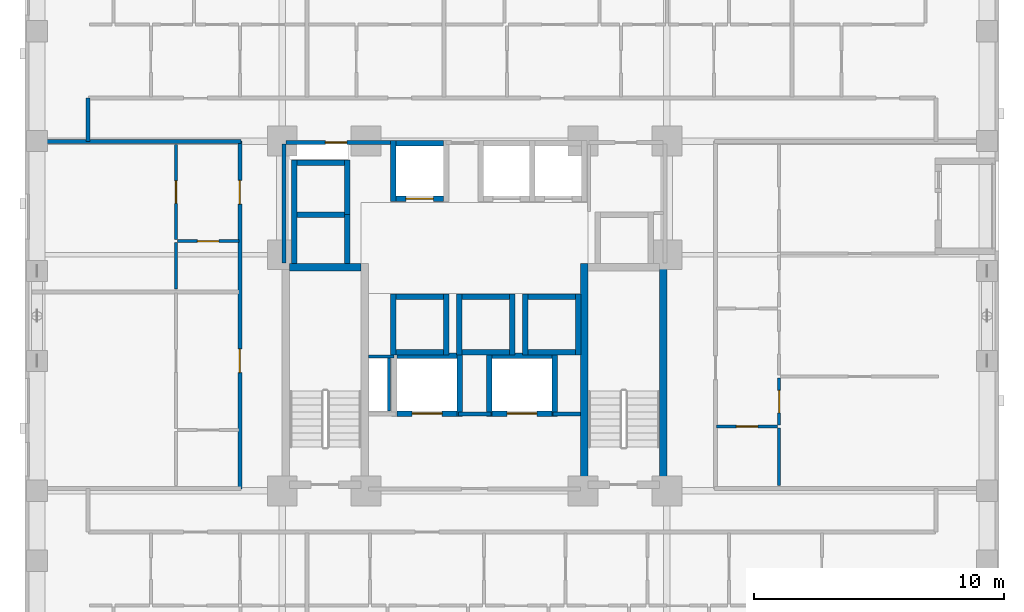
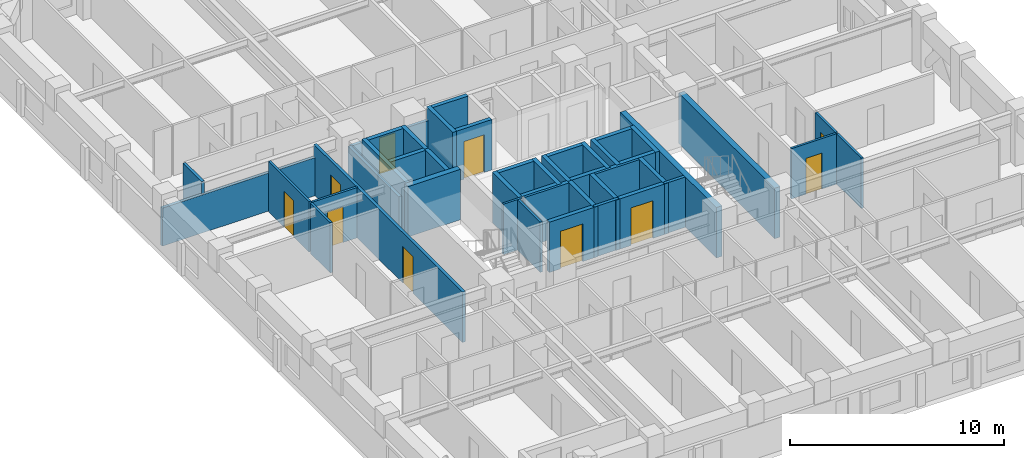
# One storey, part 5 of 14: 45 walls, 10 doors, 10 openings.
"""IFC4 building model written with IfcOpenShell, lengths in metres."""

import ifcopenshell
import ifcopenshell.guid

model = None  # the IFC model being written
_history = None  # IfcOwnerHistory: only IFC2X3 demands one
_inside = {}  # id of a spatial element -> (the spatial element, [elements in it])
_under = {}  # id of a project, library or spatial element -> (it, [spatial elements below it])
_declared = {}  # id of a project -> (the project, [libraries it declares])
_typed = {}  # id of a type object -> (the type object, [elements of that type])
_made_of = {}  # id of a material, layer set ... -> (it, [elements and type objects made of it])


def new_model(schema):
    """Start an empty IFC model of exactly this schema.

    Asked for "IFC4X3", IfcOpenShell would pick the latest addendum, in which some entities
    have other attributes; the version numbers below select the first issue.
    IFC2X3 requires an IfcOwnerHistory on every rooted entity: one is made here for all.
    """
    global model, _history
    if schema == "IFC4X3":
        model = ifcopenshell.file(schema_version=(4, 3, 0, 0))
    else:
        model = ifcopenshell.file(schema=schema)
    _inside.clear()
    _under.clear()
    _declared.clear()
    _typed.clear()
    _made_of.clear()
    _history = None
    if model.schema == "IFC2X3":
        org = make("IfcOrganization", Name="unknown")
        user = make(
            "IfcPersonAndOrganization",
            ThePerson=make("IfcPerson", FamilyName="unknown"),
            TheOrganization=org,
        )
        app = make(
            "IfcApplication",
            ApplicationDeveloper=org,
            Version="unknown",
            ApplicationFullName="unknown",
            ApplicationIdentifier="unknown",
        )
        _history = make(
            "IfcOwnerHistory",
            OwningUser=user,
            OwningApplication=app,
            ChangeAction="ADDED",
            CreationDate=0,
        )
    return model


def make(cls, **values):
    """One entity of the class cls with the attributes given. An attribute that is None is left unset."""
    return model.create_entity(
        cls, **{name: value for name, value in values.items() if value is not None}
    )


def rooted(cls, **values):
    """An entity with a GlobalId (a new one), such as an element, a storey or a relation."""
    return make(cls, GlobalId=ifcopenshell.guid.new(), OwnerHistory=_history, **values)


def si_unit(unit_type, name, prefix=None):
    """IfcSIUnit, for example si_unit("LENGTHUNIT", "METRE", prefix="MILLI")."""
    return make("IfcSIUnit", UnitType=unit_type, Prefix=prefix, Name=name)


def derived_unit(unit_type, elements):
    """IfcDerivedUnit: a product of units, each with its exponent."""
    return make(
        "IfcDerivedUnit",
        Elements=[
            make("IfcDerivedUnitElement", Unit=unit, Exponent=power)
            for unit, power in elements
        ],
        UnitType=unit_type,
    )


def assignment(units):
    """IfcUnitAssignment: the units of a project."""
    return None if units is None else make("IfcUnitAssignment", Units=units)


def point(xyz):
    """IfcCartesianPoint."""
    return None if xyz is None else make("IfcCartesianPoint", Coordinates=xyz)


def direction(xyz):
    """IfcDirection."""
    return None if xyz is None else make("IfcDirection", DirectionRatios=xyz)


def frame(location, z_axis=None, x_axis=None):
    """IfcAxis2Placement3D, a coordinate frame: its origin and axes. An axis left out is left unset."""
    return make(
        "IfcAxis2Placement3D",
        Location=point(location),
        Axis=direction(z_axis),
        RefDirection=direction(x_axis),
    )


def frame_2d(location, x_axis=None):
    """IfcAxis2Placement2D, a coordinate frame in the plane: its origin and x axis."""
    return make(
        "IfcAxis2Placement2D", Location=point(location), RefDirection=direction(x_axis)
    )


def origin():
    """The frame at (0, 0, 0) with its axes left unset."""
    return frame((0.0, 0.0, 0.0))


def place(relative_to, where):
    """IfcLocalPlacement: puts the frame where relative to a parent placement (None: the world)."""
    return make(
        "IfcLocalPlacement", PlacementRelTo=relative_to, RelativePlacement=where
    )


def context(
    kind, dimensions, precision=None, world=None, true_north=None, identifier=None
):
    """IfcGeometricRepresentationContext, for example the 3D "Model" context."""
    return make(
        "IfcGeometricRepresentationContext",
        ContextIdentifier=identifier,
        ContextType=kind,
        CoordinateSpaceDimension=dimensions,
        Precision=precision,
        WorldCoordinateSystem=world,
        TrueNorth=true_north,
    )


def subcontext(parent, identifier, kind, view, scale=None):
    """IfcGeometricRepresentationSubContext, for example "Body" below "Model"."""
    return make(
        "IfcGeometricRepresentationSubContext",
        ContextIdentifier=identifier,
        ContextType=kind,
        ParentContext=parent,
        TargetScale=scale,
        TargetView=view,
    )


def project(units=None, contexts=None):
    """IfcProject with its units and contexts."""
    return rooted(
        "IfcProject",
        Name="project",
        RepresentationContexts=contexts,
        UnitsInContext=assignment(units),
    )


def spatial(cls, under=None, at=None, **own):
    """A site, building, storey or space (cls), placed at a placement, below another one or the project."""
    s = rooted(cls, ObjectPlacement=at, **own)
    if under is not None:
        _under.setdefault(under.id(), (under, []))[1].append(s)
    return s


def profile(cls, at=None, kind="AREA", **sizes):
    """A parametric profile (cls). Its sizes go by their IFC names, for example OverallWidth=200.0."""
    return make(cls, ProfileType=kind, Position=at, **sizes)


def rectangle(**sizes):
    """IfcRectangleProfileDef."""
    return profile("IfcRectangleProfileDef", **sizes)


def extrude(swept, where, along, depth):
    """IfcExtrudedAreaSolid: the profile swept, set in the frame where, extruded along a direction by depth."""
    return make(
        "IfcExtrudedAreaSolid",
        SweptArea=swept,
        Position=where,
        ExtrudedDirection=direction(along),
        Depth=depth,
    )


def shape(context_of_items, identifier, shape_type, items):
    """IfcShapeRepresentation: the items that make up one representation, for example the "Body"."""
    return make(
        "IfcShapeRepresentation",
        ContextOfItems=context_of_items,
        RepresentationIdentifier=identifier,
        RepresentationType=shape_type,
        Items=items,
    )


def material(Name=None, Category=None):
    """IfcMaterial."""
    return make("IfcMaterial", Name=Name, Category=Category)


def layer(
    of_material, thickness, ventilated=None, Name=None, Category=None, Priority=None
):
    """IfcMaterialLayer: one layer of a wall or slab, of a material (None: an air gap)."""
    return make(
        "IfcMaterialLayer",
        Material=of_material,
        LayerThickness=thickness,
        IsVentilated=ventilated,
        Name=Name,
        Category=Category,
        Priority=Priority,
    )


def layer_set(layers, Name=None):
    """IfcMaterialLayerSet."""
    return make("IfcMaterialLayerSet", MaterialLayers=layers, LayerSetName=Name)


def made_of(thing, what):
    """Note that an element or type object is made of a material, layer set ...; save() writes the relation."""
    if what is not None:
        _made_of.setdefault(what.id(), (what, []))[1].append(thing)
    return thing


def type_object(cls, material=None, **own):
    """A type object (cls), such as IfcWallType, which elements share."""
    return made_of(rooted(cls, **own), material)


def element(
    cls,
    number,
    at=None,
    inside=None,
    cuts=None,
    type_object=None,
    material=None,
    context=None,
    identifier="Body",
    shape_type=None,
    held_by="IfcProductDefinitionShape",
    body=None,
    shapes=None,
    **own,
):
    """One element of the class cls, such as IfcWall. Its Tag is "e" and its number.

    at: its placement. inside: the storey or other place that contains it. cuts: it is an
    opening in that element (IfcRelVoidsElement). A single representation is given by context,
    identifier, shape_type and body (its items); several are given by shapes. held_by: the class
    of the entity that holds the representations. save() writes the other relations.
    """
    e = rooted(cls, Tag="e%d" % number, ObjectPlacement=at, **own)
    if body is not None:
        shapes = [shape(context, identifier, shape_type, body)]
    if shapes is not None:
        e.Representation = make(held_by, Representations=shapes)
    if inside is not None:
        _inside.setdefault(inside.id(), (inside, []))[1].append(e)
    if cuts is not None:
        rooted(
            "IfcRelVoidsElement", RelatingBuildingElement=cuts, RelatedOpeningElement=e
        )
    if type_object is not None:
        _typed.setdefault(type_object.id(), (type_object, []))[1].append(e)
    return made_of(e, material)


def fill(opening, filler):
    """IfcRelFillsElement: the door or window that sits in an opening."""
    return rooted(
        "IfcRelFillsElement",
        RelatingOpeningElement=opening,
        RelatedBuildingElement=filler,
    )


def aggregate(whole, parts):
    """IfcRelAggregates: a whole, such as a stair, and the parts it consists of."""
    return rooted("IfcRelAggregates", RelatingObject=whole, RelatedObjects=parts)


def save(model, path):
    """Write the relations noted so far, then the file.

    IfcRelAggregates (storeys below a building ...), IfcRelContainedInSpatialStructure (elements
    in a storey), IfcRelDefinesByType, IfcRelAssociatesMaterial and IfcRelDeclares: one each for
    every whole, place, type object, material and project.
    """
    for whole, parts in _under.values():
        aggregate(whole, parts)
    for where, things in _inside.values():
        rooted(
            "IfcRelContainedInSpatialStructure",
            RelatedElements=things,
            RelatingStructure=where,
        )
    for kind, things in _typed.values():
        rooted("IfcRelDefinesByType", RelatedObjects=things, RelatingType=kind)
    for what, things in _made_of.values():
        rooted("IfcRelAssociatesMaterial", RelatedObjects=things, RelatingMaterial=what)
    for by, libraries in _declared.values():
        rooted("IfcRelDeclares", RelatingContext=by, RelatedDefinitions=libraries)
    model.write(path)


model = new_model("IFC4")

# Units and contexts
model_context = context("Model", 3, precision=1e-05, world=origin(), true_north=direction((0.0, 1.0)))
body_context = subcontext(model_context, "Body", "Model", "MODEL_VIEW")
ifc_project = project(units=[si_unit("LENGTHUNIT", "METRE"), si_unit("AREAUNIT", "SQUARE_METRE"), si_unit("VOLUMEUNIT", "CUBIC_METRE"), si_unit("PLANEANGLEUNIT", "RADIAN"), si_unit("MASSUNIT", "GRAM", prefix="KILO"), derived_unit("THERMALTRANSMITTANCEUNIT", [(si_unit("MASSUNIT", "GRAM", prefix="KILO"), 1), (si_unit("TIMEUNIT", "SECOND"), -3), (si_unit("THERMODYNAMICTEMPERATUREUNIT", "KELVIN"), -1)])], contexts=[model_context])

# Site, building, storey
site_placement = place(None, origin())
site = spatial("IfcSite", under=ifc_project, at=site_placement, CompositionType="ELEMENT")
building_placement = place(site_placement, origin())
building = spatial("IfcBuilding", under=site, at=building_placement, Name="Korrvale Station Residences", CompositionType="ELEMENT")
storey_placement = place(building_placement, frame((0.0, 0.0, 67.39990234375)))
storey = spatial("IfcBuildingStorey", under=building, at=storey_placement, Name="L18", CompositionType="ELEMENT", Elevation=67.39990234375)

# Walls
ifc_material_1 = material(Name="Concrete C70/85", Category="concrete")
ifc_layer_1 = layer(ifc_material_1, 0.300048828125, Name="Concrete C70/85")
ifc_layer_set_1 = layer_set([ifc_layer_1], Name="Concrete C70/85")
wall_type_1 = type_object("IfcWallType", Name="WAL-CORE-300-C70", PredefinedType="SHEAR", material=ifc_layer_set_1)
wall_1_placement = place(storey_placement, frame((18.10009765625, 23.949951171875, 0.0), z_axis=(0.0, 0.0, 1.0), x_axis=(1.0, 0.0, 0.0)))
element("IfcWall", 1, at=wall_1_placement, inside=storey, type_object=wall_type_1, Name="L18 ST-1 Core Shear Wall North", PredefinedType="SHEAR", context=body_context, shape_type="SweptSolid", body=[
    extrude(rectangle(XDim=2.849853515625, YDim=0.300048828125, at=frame_2d((1.4248046875, 0.0))), origin(), (0.0, 0.0, 1.0), 2.880126953125),
])
for number, where, z_axis, x_axis, name in (
    (2, (29.89990234375, 15.10009765625, 0.0), (0.0, 0.0, 1.0), (0.0, 1.0, 0.0), "L18 ST-2 Core Shear Wall West"),
    (3, (33.050048828125, 15.10009765625, 0.0), (0.0, 0.0, 1.0), (0.0, 1.0, 0.0), "L18 ST-2 Core Shear Wall East"),
):
    element("IfcWall", number, at=place(storey_placement, frame(where, z_axis=z_axis, x_axis=x_axis)), inside=storey, type_object=wall_type_1, Name=name, PredefinedType="SHEAR", context=body_context, shape_type="SweptSolid", body=[
        extrude(rectangle(XDim=9.0, YDim=0.300048828125, at=frame_2d((4.5, 0.0))), origin(), (0.0, 0.0, 1.0), 2.880126953125),
    ])
ifc_material_2 = material(Name="Acoustic steel-stud gypsum board partition", Category="steel")
ifc_layer_2 = layer(ifc_material_2, 0.1201171875, Name="Acoustic steel-stud gypsum board partition")
ifc_layer_set_2 = layer_set([ifc_layer_2], Name="Acoustic steel-stud gypsum board partition")
wall_type_2 = type_object("IfcWallType", Name="WAL-PART-125", PredefinedType="PARTITIONING", material=ifc_layer_set_2)
wall_2_placement = place(storey_placement, frame((22.080078125, 18.199951171875, 0.0), z_axis=(0.0, 0.0, 1.0), x_axis=(0.0, 1.0, 0.0)))
element("IfcWall", 4, at=wall_2_placement, inside=storey, type_object=wall_type_2, Name="L18 Core Partition CW-RSWT", PredefinedType="PARTITIONING", context=body_context, shape_type="SweptSolid", body=[
    extrude(rectangle(XDim=2.1201171875, YDim=0.1201171875, at=frame_2d((1.06005859375, 0.0))), origin(), (0.0, 0.0, 1.0), 2.880126953125),
])
wall_3_placement = place(storey_placement, frame((22.280029296875, 20.3798828125, 0.0), z_axis=(0.0, 0.0, 1.0), x_axis=(-1.0, 0.0, 0.0)))
element("IfcWall", 5, at=wall_3_placement, inside=storey, type_object=wall_type_2, Name="L18 Core Partition CW-RSWT-N", PredefinedType="PARTITIONING", context=body_context, shape_type="SweptSolid", body=[
    extrude(rectangle(XDim=1.02001953125, YDim=0.1201171875, at=frame_2d((0.510009765625, 0.0))), origin(), (0.0, 0.0, 1.0), 2.880126953125),
])

# Wall, opening, door
wall_4_placement = place(storey_placement, frame((13.610107421875, 24.991943359375, 0.0), z_axis=(0.0, 0.0, 1.0), x_axis=(1.0, 0.0, 0.0)))
wall_4 = element("IfcWall", 6, at=wall_4_placement, inside=storey, type_object=wall_type_2, Name="L18 Suite Partition U08-H01", PredefinedType="PARTITIONING", context=body_context, shape_type="SweptSolid", body=[
    extrude(rectangle(XDim=2.449951171875, YDim=0.1201171875, at=frame_2d((1.22509765625, 0.0))), origin(), (0.0, 0.0, 1.0), 2.880126953125),
])
opening_1_placement = place(wall_4_placement, frame((0.794921875, 0.0, 0.0)))
opening_1 = element("IfcOpeningElement", 7, at=opening_1_placement, cuts=wall_4, Name="Opening DB-860", PredefinedType="OPENING", context=body_context, shape_type="SweptSolid", body=[
    extrude(rectangle(XDim=0.860107421875, YDim=2.050048828125, at=frame_2d((0.43017578125, 1.02490234375))), frame((0.0, 0.070068359375, 0.0), z_axis=(0.0, -1.0, 0.0), x_axis=(1.0, 0.0, 0.0)), (0.0, 0.0, 1.0), 0.14013671875),
])
ifc_material_3 = material(Name="Moisture-resistant solid-core bathroom door", Category="timber")
door_type_1 = type_object("IfcDoorType", Name="DR-BATH-860", OperationType="NOTDEFINED", PredefinedType="DOOR", material=ifc_material_3)
door_1_placement = place(opening_1_placement, origin())
door_1 = element("IfcDoor", 8, at=door_1_placement, inside=storey, type_object=door_type_1, Name="L18 Apartment 1BR L18-U08 Bathroom Door", OperationType="SINGLE_SWING_RIGHT", OverallHeight=2.050048828125, OverallWidth=0.860107421875, PredefinedType="DOOR", context=body_context, shape_type="SweptSolid", body=[
    extrude(rectangle(XDim=0.860107421875, YDim=2.050048828125, at=frame_2d((0.43017578125, 1.02490234375))), frame((0.0, 0.02490234375, 0.0), z_axis=(0.0, -1.0, 0.0), x_axis=(1.0, 0.0, 0.0)), (0.0, 0.0, 1.0), 0.050048828125),
])
fill(opening_1, door_1)

# Wall
wall_5_placement = place(storey_placement, frame((13.550048828125, 23.08203125, 0.0), z_axis=(0.0, 0.0, 1.0), x_axis=(0.0, 1.0, 0.0)))
element("IfcWall", 9, at=wall_5_placement, inside=storey, type_object=wall_type_2, Name="L18 Suite Partition U08-V02", PredefinedType="PARTITIONING", context=body_context, shape_type="SweptSolid", body=[
    extrude(rectangle(XDim=1.849853515625, YDim=0.1201171875, at=frame_2d((0.9248046875, 0.0))), origin(), (0.0, 0.0, 1.0), 2.880126953125),
])

# Wall, opening, door
wall_6_placement = place(storey_placement, frame((13.550048828125, 25.052001953125, 0.0), z_axis=(0.0, 0.0, 1.0), x_axis=(0.0, 1.0, 0.0)))
wall_6 = element("IfcWall", 10, at=wall_6_placement, inside=storey, type_object=wall_type_2, Name="L18 Suite Partition U08-V12", PredefinedType="PARTITIONING", context=body_context, shape_type="SweptSolid", body=[
    extrude(rectangle(XDim=3.80810546875, YDim=0.1201171875, at=frame_2d((1.904052734375, 0.0))), origin(), (0.0, 0.0, 1.0), 2.880126953125),
])
opening_2_placement = place(wall_6_placement, frame((1.4541015625, 0.0, 0.0)))
opening_2 = element("IfcOpeningElement", 11, at=opening_2_placement, cuts=wall_6, Name="Opening DI-900", PredefinedType="OPENING", context=body_context, shape_type="SweptSolid", body=[
    extrude(rectangle(XDim=0.89990234375, YDim=2.050048828125, at=frame_2d((0.449951171875, 1.02490234375))), frame((0.0, 0.070068359375, 0.0), z_axis=(0.0, -1.0, 0.0), x_axis=(1.0, 0.0, 0.0)), (0.0, 0.0, 1.0), 0.14013671875),
])
ifc_material_4 = material(Name="Painted solid-core timber interior room door", Category="wood")
door_type_2 = type_object("IfcDoorType", Name="DR-INT-900", OperationType="NOTDEFINED", PredefinedType="DOOR", material=ifc_material_4)
door_2_placement = place(opening_2_placement, origin())
door_2 = element("IfcDoor", 12, at=door_2_placement, inside=storey, type_object=door_type_2, Name="L18 Apartment 1BR L18-U08 Kitchen Door", OperationType="SINGLE_SWING_LEFT", OverallHeight=2.050048828125, OverallWidth=0.89990234375, PredefinedType="DOOR", context=body_context, shape_type="SweptSolid", body=[
    extrude(rectangle(XDim=0.89990234375, YDim=2.050048828125, at=frame_2d((0.449951171875, 1.02490234375))), frame((0.0, 0.02490234375, 0.0), z_axis=(0.0, -1.0, 0.0), x_axis=(1.0, 0.0, 0.0)), (0.0, 0.0, 1.0), 0.050048828125),
])
fill(opening_2, door_2)

wall_7_placement = place(storey_placement, frame((35.18994140625, 17.570068359375, 0.0), z_axis=(0.0, 0.0, 1.0), x_axis=(1.0, 0.0, 0.0)))
wall_7 = element("IfcWall", 13, at=wall_7_placement, inside=storey, type_object=wall_type_2, Name="L18 Suite Partition U09-H12", PredefinedType="PARTITIONING", context=body_context, shape_type="SweptSolid", body=[
    extrude(rectangle(XDim=2.449951171875, YDim=0.1201171875, at=frame_2d((1.22509765625, 0.0))), origin(), (0.0, 0.0, 1.0), 2.880126953125),
])
opening_3_placement = place(wall_7_placement, frame((0.794921875, 0.0, 0.0)))
opening_3 = element("IfcOpeningElement", 14, at=opening_3_placement, cuts=wall_7, Name="Opening DB-860", PredefinedType="OPENING", context=body_context, shape_type="SweptSolid", body=[
    extrude(rectangle(XDim=0.860107421875, YDim=2.050048828125, at=frame_2d((0.43017578125, 1.02490234375))), frame((0.0, 0.070068359375, 0.0), z_axis=(0.0, -1.0, 0.0), x_axis=(1.0, 0.0, 0.0)), (0.0, 0.0, 1.0), 0.14013671875),
])
door_3_placement = place(opening_3_placement, origin())
door_3 = element("IfcDoor", 15, at=door_3_placement, inside=storey, type_object=door_type_1, Name="L18 Apartment 2BR L18-U09 Bathroom Door", OperationType="SINGLE_SWING_LEFT", OverallHeight=2.050048828125, OverallWidth=0.860107421875, PredefinedType="DOOR", context=body_context, shape_type="SweptSolid", body=[
    extrude(rectangle(XDim=0.860107421875, YDim=2.050048828125, at=frame_2d((0.43017578125, 1.02490234375))), frame((0.0, 0.02490234375, 0.0), z_axis=(0.0, -1.0, 0.0), x_axis=(1.0, 0.0, 0.0)), (0.0, 0.0, 1.0), 0.050048828125),
])
fill(opening_3, door_3)

# Wall
wall_8_placement = place(storey_placement, frame((37.699951171875, 15.2099609375, 0.0), z_axis=(0.0, 0.0, 1.0), x_axis=(0.0, 1.0, 0.0)))
element("IfcWall", 16, at=wall_8_placement, inside=storey, type_object=wall_type_2, Name="L18 Suite Partition U09-V13", PredefinedType="PARTITIONING", context=body_context, shape_type="SweptSolid", body=[
    extrude(rectangle(XDim=2.300048828125, YDim=0.1201171875, at=frame_2d((1.14990234375, 0.0))), origin(), (0.0, 0.0, 1.0), 2.880126953125),
])

# Wall, opening, door
wall_9_placement = place(storey_placement, frame((37.699951171875, 17.6298828125, 0.0), z_axis=(0.0, 0.0, 1.0), x_axis=(0.0, 1.0, 0.0)))
wall_9 = element("IfcWall", 17, at=wall_9_placement, inside=storey, type_object=wall_type_2, Name="L18 Suite Partition U09-V23", PredefinedType="PARTITIONING", context=body_context, shape_type="SweptSolid", body=[
    extrude(rectangle(XDim=1.88818359375, YDim=0.1201171875, at=frame_2d((0.944091796875, 0.0))), origin(), (0.0, 0.0, 1.0), 2.880126953125),
])
opening_4_placement = place(wall_9_placement, frame((0.493896484375, 0.0, 0.0)))
opening_4 = element("IfcOpeningElement", 18, at=opening_4_placement, cuts=wall_9, Name="Opening DI-900", PredefinedType="OPENING", context=body_context, shape_type="SweptSolid", body=[
    extrude(rectangle(XDim=0.89990234375, YDim=2.050048828125, at=frame_2d((0.449951171875, 1.02490234375))), frame((0.0, 0.070068359375, 0.0), z_axis=(0.0, -1.0, 0.0), x_axis=(1.0, 0.0, 0.0)), (0.0, 0.0, 1.0), 0.14013671875),
])
door_4_placement = place(opening_4_placement, origin())
door_4 = element("IfcDoor", 19, at=door_4_placement, inside=storey, type_object=door_type_2, Name="L18 Apartment 2BR L18-U09 Kitchen Door", OperationType="SINGLE_SWING_RIGHT", OverallHeight=2.050048828125, OverallWidth=0.89990234375, PredefinedType="DOOR", context=body_context, shape_type="SweptSolid", body=[
    extrude(rectangle(XDim=0.89990234375, YDim=2.050048828125, at=frame_2d((0.449951171875, 1.02490234375))), frame((0.0, 0.02490234375, 0.0), z_axis=(0.0, -1.0, 0.0), x_axis=(1.0, 0.0, 0.0)), (0.0, 0.0, 1.0), 0.050048828125),
])
fill(opening_4, door_4)

# Walls
ifc_material_5 = material(Name="Fire-rated twin-stud gypsum and mineral wool shaftwall assembly", Category="gypsum")
ifc_layer_3 = layer(ifc_material_5, 0.159912109375, Name="Fire-rated twin-stud gypsum and mineral wool shaftwall assembly")
ifc_layer_set_3 = layer_set([ifc_layer_3], Name="Fire-rated twin-stud gypsum and mineral wool shaftwall assembly")
wall_type_3 = type_object("IfcWallType", Name="WAL-PART-200", PredefinedType="PARTITIONING", material=ifc_layer_set_3)
wall_10_placement = place(storey_placement, frame((24.85009765625, 18.080078125, 0.0), z_axis=(0.0, 0.0, 1.0), x_axis=(1.0, 0.0, 0.0)))
element("IfcWall", 20, at=wall_10_placement, inside=storey, type_object=wall_type_3, Name="L18 Core Partition CW-FFL-N2", PredefinedType="PARTITIONING", context=body_context, shape_type="SweptSolid", body=[
    extrude(rectangle(XDim=1.2998046875, YDim=0.159912109375, at=frame_2d((0.64990234375, 0.0))), origin(), (0.0, 0.0, 1.0), 2.880126953125),
])
wall_11_placement = place(storey_placement, frame((28.64990234375, 18.080078125, 0.0), z_axis=(0.0, 0.0, 1.0), x_axis=(1.0, 0.0, 0.0)))
element("IfcWall", 21, at=wall_11_placement, inside=storey, type_object=wall_type_3, Name="L18 Core Partition CW-FFL-N3", PredefinedType="PARTITIONING", context=body_context, shape_type="SweptSolid", body=[
    extrude(rectangle(XDim=1.10009765625, YDim=0.159912109375, at=frame_2d((0.550048828125, 0.0))), origin(), (0.0, 0.0, 1.0), 2.880126953125),
])
wall_12_placement = place(storey_placement, frame((17.8798828125, 24.1201171875, 0.0), z_axis=(0.0, 0.0, 1.0), x_axis=(0.0, 1.0, 0.0)))
element("IfcWall", 22, at=wall_12_placement, inside=storey, type_object=wall_type_3, Name="L18 Core Partition CW-W-N", PredefinedType="PARTITIONING", context=body_context, shape_type="SweptSolid", body=[
    extrude(rectangle(XDim=4.759765625, YDim=0.159912109375, at=frame_2d((2.3798828125, 0.0))), origin(), (0.0, 0.0, 1.0), 2.215087890625),
])

# Wall, opening, door
wall_13_placement = place(storey_placement, frame((17.9599609375, 28.949951171875, 0.0), z_axis=(0.0, 0.0, 1.0), x_axis=(1.0, 0.0, 0.0)))
wall_13 = element("IfcWall", 23, at=wall_13_placement, inside=storey, type_object=wall_type_3, Name="L18 Core Partition CW-NW", PredefinedType="PARTITIONING", context=body_context, shape_type="SweptSolid", body=[
    extrude(rectangle(XDim=4.2900390625, YDim=0.159912109375, at=frame_2d((2.14501953125, 0.0))), origin(), (0.0, 0.0, 1.0), 2.172119140625),
])
opening_5_placement = place(wall_13_placement, frame((1.570068359375, 0.0, 0.0)))
opening_5 = element("IfcOpeningElement", 24, at=opening_5_placement, cuts=wall_13, Name="Opening DB-860", PredefinedType="OPENING", context=body_context, shape_type="SweptSolid", body=[
    extrude(rectangle(XDim=0.860107421875, YDim=2.050048828125, at=frame_2d((0.43017578125, 1.02490234375))), frame((0.0, 0.08984375, 0.0), z_axis=(0.0, -1.0, 0.0), x_axis=(1.0, 0.0, 0.0)), (0.0, 0.0, 1.0), 0.179931640625),
])
door_5_placement = place(opening_5_placement, origin())
door_5 = element("IfcDoor", 25, at=door_5_placement, inside=storey, type_object=door_type_1, Name="L18 Electrical Riser Access Door", OperationType="SINGLE_SWING_LEFT", OverallHeight=2.050048828125, OverallWidth=0.860107421875, PredefinedType="DOOR", context=body_context, shape_type="SweptSolid", body=[
    extrude(rectangle(XDim=0.860107421875, YDim=2.050048828125, at=frame_2d((0.43017578125, 1.02490234375))), frame((0.0, 0.02490234375, 0.0), z_axis=(0.0, -1.0, 0.0), x_axis=(1.0, 0.0, 0.0)), (0.0, 0.0, 1.0), 0.050048828125),
])
fill(opening_5, door_5)

# Walls
wall_14_placement = place(storey_placement, frame((10.02001953125, 28.97998046875, 0.0), z_axis=(0.0, 0.0, 1.0), x_axis=(0.0, 1.0, 0.0)))
element("IfcWall", 26, at=wall_14_placement, inside=storey, type_object=wall_type_3, Name="L18 Corridor North West Cap", PredefinedType="PARTITIONING", context=body_context, shape_type="SweptSolid", body=[
    extrude(rectangle(XDim=1.739990234375, YDim=0.159912109375, at=frame_2d((0.8701171875, 0.0))), origin(), (0.0, 0.0, 1.0), 2.880126953125),
])
wall_15_placement = place(storey_placement, frame((7.780029296875, 28.97998046875, 0.0), z_axis=(0.0, 0.0, 1.0), x_axis=(1.0, 0.0, 0.0)))
element("IfcWall", 27, at=wall_15_placement, inside=storey, type_object=wall_type_3, Name="L18 West Wing North Corridor Wall", PredefinedType="PARTITIONING", context=body_context, shape_type="SweptSolid", body=[
    extrude(rectangle(XDim=8.35986328125, YDim=0.159912109375, at=frame_2d((4.179931640625, 0.0))), origin(), (0.0, 0.0, 1.0), 2.172119140625),
])

# Wall, openings, doors
wall_16_placement = place(storey_placement, frame((16.10009765625, 15.070068359375, 0.0), z_axis=(0.0, 0.0, 1.0), x_axis=(0.0, 1.0, 0.0)))
wall_16 = element("IfcWall", 28, at=wall_16_placement, inside=storey, type_object=wall_type_3, Name="L18 Rated Corridor Wall W", PredefinedType="PARTITIONING", context=body_context, shape_type="SweptSolid", body=[
    extrude(rectangle(XDim=13.929931640625, YDim=0.159912109375, at=frame_2d((6.96484375, 0.0))), origin(), (0.0, 0.0, 1.0), 2.880126953125),
])
opening_6_placement = place(wall_16_placement, frame((4.660888671875, 0.0, 0.0)))
opening_6 = element("IfcOpeningElement", 29, at=opening_6_placement, cuts=wall_16, Name="Opening UD-950", PredefinedType="OPENING", context=body_context, shape_type="SweptSolid", body=[
    extrude(rectangle(XDim=0.949951171875, YDim=2.10009765625, at=frame_2d((0.47509765625, 1.050048828125))), frame((0.0, 0.08984375, 0.0), z_axis=(0.0, -1.0, 0.0), x_axis=(1.0, 0.0, 0.0)), (0.0, 0.0, 1.0), 0.179931640625),
])
opening_7_placement = place(wall_16_placement, frame((11.410888671875, 0.0, 0.0)))
opening_7 = element("IfcOpeningElement", 30, at=opening_7_placement, cuts=wall_16, Name="Opening UD-950", PredefinedType="OPENING", context=body_context, shape_type="SweptSolid", body=[
    extrude(rectangle(XDim=0.949951171875, YDim=2.10009765625, at=frame_2d((0.47509765625, 1.050048828125))), frame((0.0, 0.08984375, 0.0), z_axis=(0.0, -1.0, 0.0), x_axis=(1.0, 0.0, 0.0)), (0.0, 0.0, 1.0), 0.179931640625),
])
ifc_material_6 = material(Name="Solid-core acoustic oak apartment entrance door", Category="timber")
door_type_3 = type_object("IfcDoorType", Name="DR-UNIT-950", OperationType="NOTDEFINED", PredefinedType="DOOR", material=ifc_material_6)
door_6_placement = place(opening_6_placement, origin())
door_6 = element("IfcDoor", 31, at=door_6_placement, inside=storey, type_object=door_type_3, Name="L18 Apartment L18-U07 Entrance Door", OperationType="SINGLE_SWING_RIGHT", OverallHeight=2.10009765625, OverallWidth=0.949951171875, PredefinedType="DOOR", context=body_context, shape_type="SweptSolid", body=[
    extrude(rectangle(XDim=0.949951171875, YDim=2.10009765625, at=frame_2d((0.47509765625, 1.050048828125))), frame((0.0, 0.02490234375, 0.0), z_axis=(0.0, -1.0, 0.0), x_axis=(1.0, 0.0, 0.0)), (0.0, 0.0, 1.0), 0.050048828125),
])
fill(opening_6, door_6)
door_7_placement = place(opening_7_placement, origin())
door_7 = element("IfcDoor", 32, at=door_7_placement, inside=storey, type_object=door_type_3, Name="L18 Apartment L18-U08 Entrance Door", OperationType="SINGLE_SWING_LEFT", OverallHeight=2.10009765625, OverallWidth=0.949951171875, PredefinedType="DOOR", context=body_context, shape_type="SweptSolid", body=[
    extrude(rectangle(XDim=0.949951171875, YDim=2.10009765625, at=frame_2d((0.47509765625, 1.050048828125))), frame((0.0, 0.02490234375, 0.0), z_axis=(0.0, -1.0, 0.0), x_axis=(1.0, 0.0, 0.0)), (0.0, 0.0, 1.0), 0.050048828125),
])
fill(opening_7, door_7)

# Wall, opening, door
ifc_layer_4 = layer(ifc_material_1, 0.219970703125, Name="Concrete C70/85")
ifc_layer_set_4 = layer_set([ifc_layer_4], Name="Concrete C70/85")
wall_type_4 = type_object("IfcWallType", Name="WAL-SHAFT-220-C70", PredefinedType="SHEAR", material=ifc_layer_set_4)
wall_17_placement = place(storey_placement, frame((22.35009765625, 26.68994140625, 0.0), z_axis=(0.0, 0.0, 1.0), x_axis=(1.0, 0.0, 0.0)))
wall_17 = element("IfcWall", 33, at=wall_17_placement, inside=storey, type_object=wall_type_4, Name="L18 Elevator PL-1 Hoistway Wall South", PredefinedType="SHEAR", context=body_context, shape_type="SweptSolid", body=[
    extrude(rectangle(XDim=1.89990234375, YDim=0.219970703125, at=frame_2d((0.949951171875, 0.0))), origin(), (0.0, 0.0, 1.0), 2.880126953125),
])
opening_8_placement = place(wall_17_placement, frame((0.39990234375, 0.0, 0.0)))
opening_8 = element("IfcOpeningElement", 34, at=opening_8_placement, cuts=wall_17, Name="Opening LD-1100", PredefinedType="OPENING", context=body_context, shape_type="SweptSolid", body=[
    extrude(rectangle(XDim=1.10009765625, YDim=2.14990234375, at=frame_2d((0.550048828125, 1.074951171875))), frame((0.0, 0.1201171875, 0.0), z_axis=(0.0, -1.0, 0.0), x_axis=(1.0, 0.0, 0.0)), (0.0, 0.0, 1.0), 0.239990234375),
])
ifc_material_7 = material(Name="Brushed stainless-steel elevator landing sliding door", Category="steel")
door_type_4 = type_object("IfcDoorType", Name="DR-LIFT-1100", OperationType="SLIDING_TO_LEFT", PredefinedType="DOOR", material=ifc_material_7)
door_8_placement = place(opening_8_placement, origin())
door_8 = element("IfcDoor", 35, at=door_8_placement, inside=storey, type_object=door_type_4, Name="L18 Elevator PL-1 Sliding Landing Door", OperationType="SLIDING_TO_LEFT", OverallHeight=2.14990234375, OverallWidth=1.10009765625, PredefinedType="DOOR", context=body_context, shape_type="SweptSolid", body=[
    extrude(rectangle(XDim=1.10009765625, YDim=2.14990234375, at=frame_2d((0.550048828125, 1.074951171875))), frame((0.0, 0.02490234375, 0.0), z_axis=(0.0, -1.0, 0.0), x_axis=(1.0, 0.0, 0.0)), (0.0, 0.0, 1.0), 0.050048828125),
])
fill(opening_8, door_8)

# Walls
wall_18_placement = place(storey_placement, frame((22.35009765625, 28.909912109375, 0.0), z_axis=(0.0, 0.0, 1.0), x_axis=(1.0, 0.0, 0.0)))
element("IfcWall", 36, at=wall_18_placement, inside=storey, type_object=wall_type_4, Name="L18 Elevator PL-1 Hoistway Wall North", PredefinedType="SHEAR", context=body_context, shape_type="SweptSolid", body=[
    extrude(rectangle(XDim=1.89990234375, YDim=0.219970703125, at=frame_2d((0.949951171875, 0.0))), origin(), (0.0, 0.0, 1.0), 2.880126953125),
])
wall_19_placement = place(storey_placement, frame((22.239990234375, 26.580078125, 0.0), z_axis=(0.0, 0.0, 1.0), x_axis=(0.0, 1.0, 0.0)))
element("IfcWall", 37, at=wall_19_placement, inside=storey, type_object=wall_type_4, Name="L18 Elevator PL-1 Hoistway Wall West", PredefinedType="SHEAR", context=body_context, shape_type="SweptSolid", body=[
    extrude(rectangle(XDim=2.43994140625, YDim=0.219970703125, at=frame_2d((1.219970703125, 0.0))), origin(), (0.0, 0.0, 1.0), 2.880126953125),
])
for number, where, z_axis, x_axis, name in (
    (38, (22.35009765625, 20.5400390625, 0.0), (0.0, 0.0, 1.0), (1.0, 0.0, 0.0), "L18 Elevator PM-1 Hoistway Wall South"),
    (39, (22.35009765625, 22.760009765625, 0.0), (0.0, 0.0, 1.0), (1.0, 0.0, 0.0), "L18 Elevator PM-1 Hoistway Wall North"),
):
    element("IfcWall", number, at=place(storey_placement, frame(where, z_axis=z_axis, x_axis=x_axis)), inside=storey, type_object=wall_type_4, Name=name, PredefinedType="SHEAR", context=body_context, shape_type="SweptSolid", body=[
        extrude(rectangle(XDim=1.89990234375, YDim=0.219970703125, at=frame_2d((0.949951171875, 0.0))), origin(), (0.0, 0.0, 1.0), 2.880126953125),
    ])
for number, where, z_axis, x_axis, name in (
    (40, (22.239990234375, 20.429931640625, 0.0), (0.0, 0.0, 1.0), (0.0, 1.0, 0.0), "L18 Elevator PM-1 Hoistway Wall West"),
    (41, (24.360107421875, 20.429931640625, 0.0), (0.0, 0.0, 1.0), (0.0, 1.0, 0.0), "L18 Elevator PM-1 Hoistway Wall East"),
):
    element("IfcWall", number, at=place(storey_placement, frame(where, z_axis=z_axis, x_axis=x_axis)), inside=storey, type_object=wall_type_4, Name=name, PredefinedType="SHEAR", context=body_context, shape_type="SweptSolid", body=[
        extrude(rectangle(XDim=2.440185546875, YDim=0.219970703125, at=frame_2d((1.22021484375, 0.0))), origin(), (0.0, 0.0, 1.0), 2.880126953125),
    ])
for number, where, z_axis, x_axis, name in (
    (42, (25.0, 20.5400390625, 0.0), (0.0, 0.0, 1.0), (1.0, 0.0, 0.0), "L18 Elevator PM-2 Hoistway Wall South"),
    (43, (25.0, 22.760009765625, 0.0), (0.0, 0.0, 1.0), (1.0, 0.0, 0.0), "L18 Elevator PM-2 Hoistway Wall North"),
):
    element("IfcWall", number, at=place(storey_placement, frame(where, z_axis=z_axis, x_axis=x_axis)), inside=storey, type_object=wall_type_4, Name=name, PredefinedType="SHEAR", context=body_context, shape_type="SweptSolid", body=[
        extrude(rectangle(XDim=1.89990234375, YDim=0.219970703125, at=frame_2d((0.949951171875, 0.0))), origin(), (0.0, 0.0, 1.0), 2.880126953125),
    ])
for number, where, z_axis, x_axis, name in (
    (44, (24.889892578125, 20.429931640625, 0.0), (0.0, 0.0, 1.0), (0.0, 1.0, 0.0), "L18 Elevator PM-2 Hoistway Wall West"),
    (45, (27.010009765625, 20.429931640625, 0.0), (0.0, 0.0, 1.0), (0.0, 1.0, 0.0), "L18 Elevator PM-2 Hoistway Wall East"),
):
    element("IfcWall", number, at=place(storey_placement, frame(where, z_axis=z_axis, x_axis=x_axis)), inside=storey, type_object=wall_type_4, Name=name, PredefinedType="SHEAR", context=body_context, shape_type="SweptSolid", body=[
        extrude(rectangle(XDim=2.440185546875, YDim=0.219970703125, at=frame_2d((1.22021484375, 0.0))), origin(), (0.0, 0.0, 1.0), 2.880126953125),
    ])
for number, where, z_axis, x_axis, name in (
    (46, (27.64990234375, 20.5400390625, 0.0), (0.0, 0.0, 1.0), (1.0, 0.0, 0.0), "L18 Elevator PM-3 Hoistway Wall South"),
    (47, (27.64990234375, 22.760009765625, 0.0), (0.0, 0.0, 1.0), (1.0, 0.0, 0.0), "L18 Elevator PM-3 Hoistway Wall North"),
):
    element("IfcWall", number, at=place(storey_placement, frame(where, z_axis=z_axis, x_axis=x_axis)), inside=storey, type_object=wall_type_4, Name=name, PredefinedType="SHEAR", context=body_context, shape_type="SweptSolid", body=[
        extrude(rectangle(XDim=1.900146484375, YDim=0.219970703125, at=frame_2d((0.9501953125, 0.0))), origin(), (0.0, 0.0, 1.0), 2.880126953125),
    ])
for number, where, z_axis, x_axis, name in (
    (48, (27.5400390625, 20.429931640625, 0.0), (0.0, 0.0, 1.0), (0.0, 1.0, 0.0), "L18 Elevator PM-3 Hoistway Wall West"),
    (49, (29.659912109375, 20.429931640625, 0.0), (0.0, 0.0, 1.0), (0.0, 1.0, 0.0), "L18 Elevator PM-3 Hoistway Wall East"),
):
    element("IfcWall", number, at=place(storey_placement, frame(where, z_axis=z_axis, x_axis=x_axis)), inside=storey, type_object=wall_type_4, Name=name, PredefinedType="SHEAR", context=body_context, shape_type="SweptSolid", body=[
        extrude(rectangle(XDim=2.440185546875, YDim=0.219970703125, at=frame_2d((1.22021484375, 0.0))), origin(), (0.0, 0.0, 1.0), 2.880126953125),
    ])
wall_20_placement = place(storey_placement, frame((18.2900390625, 24.10009765625, 0.0), z_axis=(0.0, 0.0, 1.0), x_axis=(0.0, 1.0, 0.0)))
element("IfcWall", 50, at=wall_20_placement, inside=storey, type_object=wall_type_4, Name="L18 Elevator PH-1 Hoistway Wall West", PredefinedType="SHEAR", context=body_context, shape_type="SweptSolid", body=[
    extrude(rectangle(XDim=4.139892578125, YDim=0.219970703125, at=frame_2d((2.06982421875, 0.0))), origin(), (0.0, 0.0, 1.0), 2.880126953125),
])
wall_21_placement = place(storey_placement, frame((20.409912109375, 24.10009765625, 0.0), z_axis=(0.0, 0.0, 1.0), x_axis=(0.0, 1.0, 0.0)))
element("IfcWall", 51, at=wall_21_placement, inside=storey, type_object=wall_type_4, Name="L18 Elevator PH-1 Hoistway Wall East", PredefinedType="SHEAR", context=body_context, shape_type="SweptSolid", body=[
    extrude(rectangle(XDim=1.9599609375, YDim=0.219970703125, at=frame_2d((0.97998046875, 0.0))), origin(), (0.0, 0.0, 1.0), 2.880126953125),
])
for number, where, z_axis, x_axis, name in (
    (52, (18.39990234375, 26.06005859375, 0.0), (0.0, 0.0, 1.0), (1.0, 0.0, 0.0), "L18 Elevator PH-2 Hoistway Wall South"),
    (53, (18.39990234375, 28.1298828125, 0.0), (0.0, 0.0, 1.0), (1.0, 0.0, 0.0), "L18 Elevator PH-2 Hoistway Wall North"),
):
    element("IfcWall", number, at=place(storey_placement, frame(where, z_axis=z_axis, x_axis=x_axis)), inside=storey, type_object=wall_type_4, Name=name, PredefinedType="SHEAR", context=body_context, shape_type="SweptSolid", body=[
        extrude(rectangle(XDim=1.900146484375, YDim=0.219970703125, at=frame_2d((0.9501953125, 0.0))), origin(), (0.0, 0.0, 1.0), 2.880126953125),
    ])
wall_22_placement = place(storey_placement, frame((20.409912109375, 26.06005859375, 0.0), z_axis=(0.0, 0.0, 1.0), x_axis=(0.0, 1.0, 0.0)))
element("IfcWall", 54, at=wall_22_placement, inside=storey, type_object=wall_type_4, Name="L18 Elevator PH-2 Hoistway Wall East", PredefinedType="SHEAR", context=body_context, shape_type="SweptSolid", body=[
    extrude(rectangle(XDim=2.179931640625, YDim=0.219970703125, at=frame_2d((1.08984375, 0.0))), origin(), (0.0, 0.0, 1.0), 2.880126953125),
])

# Wall, opening, door
wall_23_placement = place(storey_placement, frame((22.39990234375, 18.090087890625, 0.0), z_axis=(0.0, 0.0, 1.0), x_axis=(1.0, 0.0, 0.0)))
wall_23 = element("IfcWall", 55, at=wall_23_placement, inside=storey, type_object=wall_type_4, Name="L18 Elevator FFL-1 Hoistway Wall South", PredefinedType="SHEAR", context=body_context, shape_type="SweptSolid", body=[
    extrude(rectangle(XDim=2.400146484375, YDim=0.219970703125, at=frame_2d((1.2001953125, 0.0))), origin(), (0.0, 0.0, 1.0), 2.880126953125),
])
opening_9_placement = place(wall_23_placement, frame((0.60009765625, 0.0, 0.0)))
opening_9 = element("IfcOpeningElement", 56, at=opening_9_placement, cuts=wall_23, Name="Opening LD-FF1200", PredefinedType="OPENING", context=body_context, shape_type="SweptSolid", body=[
    extrude(rectangle(XDim=1.199951171875, YDim=2.14990234375, at=frame_2d((0.60009765625, 1.074951171875))), frame((0.0, 0.1201171875, 0.0), z_axis=(0.0, -1.0, 0.0), x_axis=(1.0, 0.0, 0.0)), (0.0, 0.0, 1.0), 0.239990234375),
])
ifc_material_8 = material(Name="Stainless-steel firefighter elevator landing sliding door", Category="steel")
door_type_5 = type_object("IfcDoorType", Name="DR-LIFT-FF1200", OperationType="SLIDING_TO_LEFT", PredefinedType="DOOR", material=ifc_material_8)
door_9_placement = place(opening_9_placement, origin())
door_9 = element("IfcDoor", 57, at=door_9_placement, inside=storey, type_object=door_type_5, Name="L18 Elevator FFL-1 Sliding Landing Door", OperationType="SLIDING_TO_LEFT", OverallHeight=2.14990234375, OverallWidth=1.199951171875, PredefinedType="DOOR", context=body_context, shape_type="SweptSolid", body=[
    extrude(rectangle(XDim=1.199951171875, YDim=2.14990234375, at=frame_2d((0.60009765625, 1.074951171875))), frame((0.0, 0.02490234375, 0.0), z_axis=(0.0, -1.0, 0.0), x_axis=(1.0, 0.0, 0.0)), (0.0, 0.0, 1.0), 0.050048828125),
])
fill(opening_9, door_9)

# Walls
wall_24_placement = place(storey_placement, frame((22.39990234375, 20.409912109375, 0.0), z_axis=(0.0, 0.0, 1.0), x_axis=(1.0, 0.0, 0.0)))
element("IfcWall", 58, at=wall_24_placement, inside=storey, type_object=wall_type_4, Name="L18 Elevator FFL-1 Hoistway Wall North", PredefinedType="SHEAR", context=body_context, shape_type="SweptSolid", body=[
    extrude(rectangle(XDim=2.400146484375, YDim=0.219970703125, at=frame_2d((1.2001953125, 0.0))), origin(), (0.0, 0.0, 1.0), 2.880126953125),
])
wall_25_placement = place(storey_placement, frame((24.909912109375, 17.97998046875, 0.0), z_axis=(0.0, 0.0, 1.0), x_axis=(0.0, 1.0, 0.0)))
element("IfcWall", 59, at=wall_25_placement, inside=storey, type_object=wall_type_4, Name="L18 Elevator FFL-1 Hoistway Wall East", PredefinedType="SHEAR", context=body_context, shape_type="SweptSolid", body=[
    extrude(rectangle(XDim=2.5400390625, YDim=0.219970703125, at=frame_2d((1.27001953125, 0.0))), origin(), (0.0, 0.0, 1.0), 2.880126953125),
])

# Wall, opening, door
wall_26_placement = place(storey_placement, frame((26.199951171875, 18.090087890625, 0.0), z_axis=(0.0, 0.0, 1.0), x_axis=(1.0, 0.0, 0.0)))
wall_26 = element("IfcWall", 60, at=wall_26_placement, inside=storey, type_object=wall_type_4, Name="L18 Elevator FFL-2 Hoistway Wall South", PredefinedType="SHEAR", context=body_context, shape_type="SweptSolid", body=[
    extrude(rectangle(XDim=2.400146484375, YDim=0.219970703125, at=frame_2d((1.2001953125, 0.0))), origin(), (0.0, 0.0, 1.0), 2.880126953125),
])
opening_10_placement = place(wall_26_placement, frame((0.60009765625, 0.0, 0.0)))
opening_10 = element("IfcOpeningElement", 61, at=opening_10_placement, cuts=wall_26, Name="Opening LD-FF1200", PredefinedType="OPENING", context=body_context, shape_type="SweptSolid", body=[
    extrude(rectangle(XDim=1.199951171875, YDim=2.14990234375, at=frame_2d((0.60009765625, 1.074951171875))), frame((0.0, 0.1201171875, 0.0), z_axis=(0.0, -1.0, 0.0), x_axis=(1.0, 0.0, 0.0)), (0.0, 0.0, 1.0), 0.239990234375),
])
door_10_placement = place(opening_10_placement, origin())
door_10 = element("IfcDoor", 62, at=door_10_placement, inside=storey, type_object=door_type_5, Name="L18 Elevator FFL-2 Sliding Landing Door", OperationType="SLIDING_TO_LEFT", OverallHeight=2.14990234375, OverallWidth=1.199951171875, PredefinedType="DOOR", context=body_context, shape_type="SweptSolid", body=[
    extrude(rectangle(XDim=1.199951171875, YDim=2.14990234375, at=frame_2d((0.60009765625, 1.074951171875))), frame((0.0, 0.02490234375, 0.0), z_axis=(0.0, -1.0, 0.0), x_axis=(1.0, 0.0, 0.0)), (0.0, 0.0, 1.0), 0.050048828125),
])
fill(opening_10, door_10)

# Walls
wall_27_placement = place(storey_placement, frame((26.199951171875, 20.409912109375, 0.0), z_axis=(0.0, 0.0, 1.0), x_axis=(1.0, 0.0, 0.0)))
element("IfcWall", 63, at=wall_27_placement, inside=storey, type_object=wall_type_4, Name="L18 Elevator FFL-2 Hoistway Wall North", PredefinedType="SHEAR", context=body_context, shape_type="SweptSolid", body=[
    extrude(rectangle(XDim=2.400146484375, YDim=0.219970703125, at=frame_2d((1.2001953125, 0.0))), origin(), (0.0, 0.0, 1.0), 2.880126953125),
])
for number, where, z_axis, x_axis, name in (
    (64, (26.090087890625, 17.97998046875, 0.0), (0.0, 0.0, 1.0), (0.0, 1.0, 0.0), "L18 Elevator FFL-2 Hoistway Wall West"),
    (65, (28.7099609375, 17.97998046875, 0.0), (0.0, 0.0, 1.0), (0.0, 1.0, 0.0), "L18 Elevator FFL-2 Hoistway Wall East"),
):
    element("IfcWall", number, at=place(storey_placement, frame(where, z_axis=z_axis, x_axis=x_axis)), inside=storey, type_object=wall_type_4, Name=name, PredefinedType="SHEAR", context=body_context, shape_type="SweptSolid", body=[
        extrude(rectangle(XDim=2.5400390625, YDim=0.219970703125, at=frame_2d((1.27001953125, 0.0))), origin(), (0.0, 0.0, 1.0), 2.880126953125),
    ])

save(model, "model.ifc")
